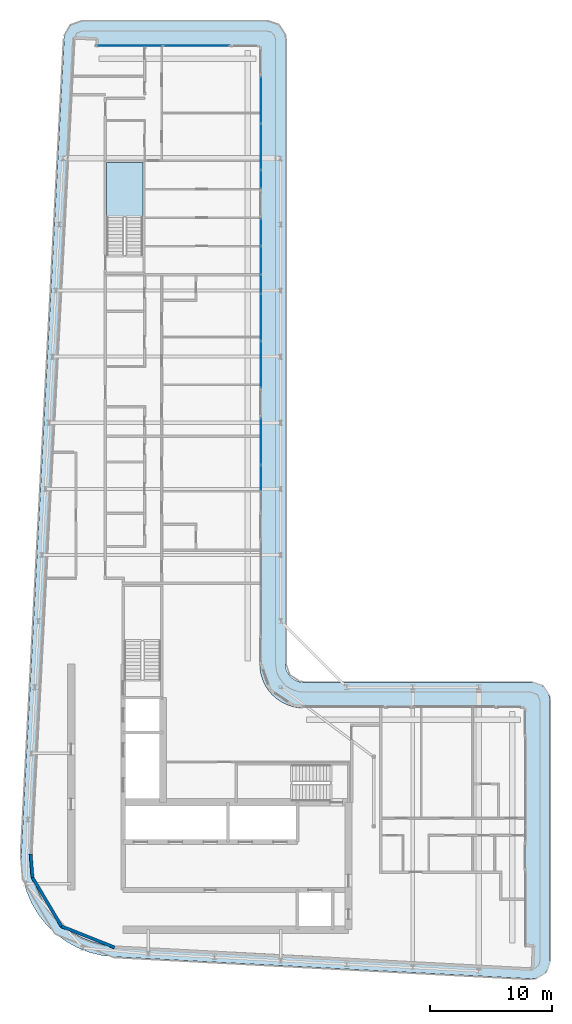
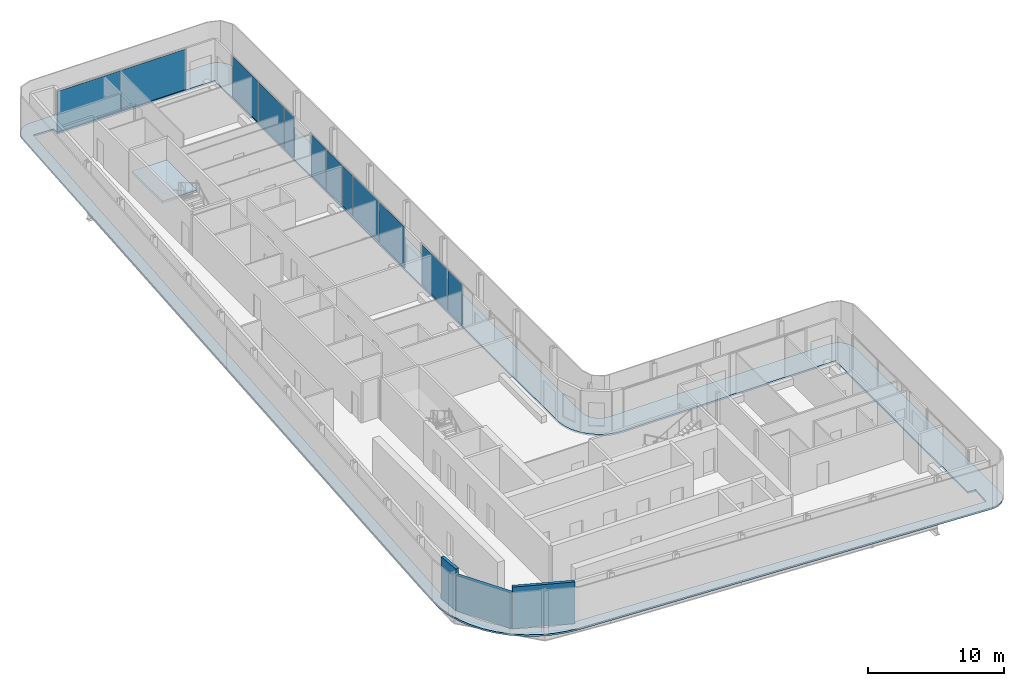
# One storey, part 10 of 21: 12 plates, 3 walls, 2 slabs, 7 elements without a shape of their own.
"""IFC4 building model written with IfcOpenShell, lengths in metres."""

from ifc_helpers import new_model, si_unit, direction, frame, frame_2d, origin, origin_2d, place, context, subcontext, project, spatial, polyline, rectangle, outline, extrude, material, layer, layer_set, type_object, element, aggregate, save


model = new_model("IFC4")

# Units and contexts
model_context = context("Model", 3, precision=1e-05, world=origin(), true_north=direction((0.0, 1.0)))
body_context = subcontext(model_context, "Body", "Model", "MODEL_VIEW")
ifc_project = project(units=[si_unit("LENGTHUNIT", "METRE"), si_unit("AREAUNIT", "SQUARE_METRE"), si_unit("VOLUMEUNIT", "CUBIC_METRE"), si_unit("PLANEANGLEUNIT", "RADIAN"), si_unit("MASSUNIT", "GRAM", prefix="KILO")], contexts=[model_context])

# Site, building, storey
site_placement = place(None, origin())
site = spatial("IfcSite", under=ifc_project, at=site_placement, CompositionType="ELEMENT")
building_placement = place(site_placement, origin())
building = spatial("IfcBuilding", under=site, at=building_placement, Name="Kheshtan School and Residences Tower", CompositionType="ELEMENT")
storey_placement = place(building_placement, frame((0.0, 0.0, 302.0)))
storey = spatial("IfcBuildingStorey", under=building, at=storey_placement, Name="L71", CompositionType="ELEMENT", Elevation=302.0)

# Curtain wall, plates
ifc_material_1 = material(Name="Clear low-e glass in thermally broken aluminium frame", Category="aluminium")
ifc_layer_1 = layer(ifc_material_1, 0.199951171875)
ifc_layer_set_1 = layer_set([ifc_layer_1], Name="Curtain wall CW-L")
curtain_wall_type = type_object("IfcCurtainWallType", Name="Curtain wall CW-L", PredefinedType="NOTDEFINED", material=ifc_layer_set_1)
curtain_wall_1_placement = place(storey_placement, origin())
curtain_wall_1 = element("IfcCurtainWall", 1, at=curtain_wall_1_placement, inside=storey, type_object=curtain_wall_type, Name="Curtain wall CWL7", PredefinedType="NOTDEFINED")
ifc_layer_2 = layer(ifc_material_1, 0.031982421875)
ifc_layer_set_2 = layer_set([ifc_layer_2], Name="CW-L glass panel")
plate_type = type_object("IfcPlateType", Name="CW-L glass panel", PredefinedType="CURTAIN_PANEL", material=ifc_layer_set_2)
plate_1_placement = place(storey_placement, frame((35.259033203125, 98.0, 0.0), z_axis=(0.0, 0.0, 1.0), x_axis=(1.0, 0.0, 0.0)))
plate_1 = element("IfcPlate", 2, at=plate_1_placement, type_object=plate_type, Name="CWL7 panel 1.1", PredefinedType="CURTAIN_PANEL", context=body_context, shape_type="SweptSolid", body=[
    extrude(rectangle(XDim=5.4140625, YDim=0.031982421875, at=origin_2d()), origin(), (0.0, 0.0, 1.0), 3.6298828125),
])
plate_2_placement = place(storey_placement, frame((40.73291015625, 98.0, 0.0), z_axis=(0.0, 0.0, 1.0), x_axis=(1.0, 0.0, 0.0)))
plate_2 = element("IfcPlate", 3, at=plate_2_placement, type_object=plate_type, Name="CWL7 panel 2.1", PredefinedType="CURTAIN_PANEL", context=body_context, shape_type="SweptSolid", body=[
    extrude(rectangle(XDim=5.4140625, YDim=0.031982421875, at=origin_2d()), origin(), (0.0, 0.0, 1.0), 3.6298828125),
])
aggregate(curtain_wall_1, [plate_1, plate_2])

curtain_wall_2_placement = place(storey_placement, origin())
curtain_wall_2 = element("IfcCurtainWall", 4, at=curtain_wall_2_placement, inside=storey, type_object=curtain_wall_type, Name="Curtain wall CWL8", PredefinedType="NOTDEFINED")
plate_3_placement = place(storey_placement, frame((46.0, 93.5615234375, 0.0), z_axis=(0.0, 0.0, 1.0), x_axis=(0.0, -1.0, 0.0)))
plate_3 = element("IfcPlate", 5, at=plate_3_placement, type_object=plate_type, Name="CWL8 panel 1.1", PredefinedType="CURTAIN_PANEL", context=body_context, shape_type="SweptSolid", body=[
    extrude(rectangle(XDim=3.757080078125, YDim=0.031982421875, at=origin_2d()), origin(), (0.0, 0.0, 1.0), 3.6298828125),
])
plate_4_placement = place(storey_placement, frame((46.0, 89.744384765625, 0.0), z_axis=(0.0, 0.0, 1.0), x_axis=(0.0, -1.0, 0.0)))
plate_4 = element("IfcPlate", 6, at=plate_4_placement, type_object=plate_type, Name="CWL8 panel 2.1", PredefinedType="CURTAIN_PANEL", context=body_context, shape_type="SweptSolid", body=[
    extrude(rectangle(XDim=3.757080078125, YDim=0.031982421875, at=origin_2d()), origin(), (0.0, 0.0, 1.0), 3.6298828125),
])
aggregate(curtain_wall_2, [plate_3, plate_4])

# Curtain wall, plate
curtain_wall_3_placement = place(storey_placement, origin())
curtain_wall_3 = element("IfcCurtainWall", 7, at=curtain_wall_3_placement, inside=storey, type_object=curtain_wall_type, Name="Curtain wall CWL8a", PredefinedType="NOTDEFINED")
plate_5_placement = place(storey_placement, frame((46.0, 87.0859375, 0.0), z_axis=(0.0, 0.0, 1.0), x_axis=(0.0, -1.0, 0.0)))
plate_5 = element("IfcPlate", 8, at=plate_5_placement, type_object=plate_type, Name="CWL8a panel 1.1", PredefinedType="CURTAIN_PANEL", context=body_context, shape_type="SweptSolid", body=[
    extrude(rectangle(XDim=1.43994140625, YDim=0.031982421875, at=origin_2d()), origin(), (0.0, 0.0, 1.0), 3.6298828125),
])
aggregate(curtain_wall_3, [plate_5])

# Curtain wall, plates
curtain_wall_4_placement = place(storey_placement, origin())
curtain_wall_4 = element("IfcCurtainWall", 9, at=curtain_wall_4_placement, inside=storey, type_object=curtain_wall_type, Name="Curtain wall CWL8b", PredefinedType="NOTDEFINED")
plate_6_placement = place(storey_placement, frame((46.0, 82.75048828125, 0.0), z_axis=(0.0, 0.0, 1.0), x_axis=(0.0, -1.0, 0.0)))
plate_6 = element("IfcPlate", 10, at=plate_6_placement, type_object=plate_type, Name="CWL8b panel 1.1", PredefinedType="CURTAIN_PANEL", context=body_context, shape_type="SweptSolid", body=[
    extrude(rectangle(XDim=2.19091796875, YDim=0.031982421875, at=origin_2d()), origin(), (0.0, 0.0, 1.0), 3.6298828125),
])
plate_7_placement = place(storey_placement, frame((46.0, 80.46240234375, 0.0), z_axis=(0.0, 0.0, 1.0), x_axis=(0.0, -1.0, 0.0)))
plate_7 = element("IfcPlate", 11, at=plate_7_placement, type_object=plate_type, Name="CWL8b panel 2.1", PredefinedType="CURTAIN_PANEL", context=body_context, shape_type="SweptSolid", body=[
    extrude(rectangle(XDim=2.264892578125, YDim=0.031982421875, at=origin_2d()), origin(), (0.0, 0.0, 1.0), 3.6298828125),
])
plate_8_placement = place(storey_placement, frame((46.0, 78.52099609375, 0.0), z_axis=(0.0, 0.0, 1.0), x_axis=(0.0, -1.0, 0.0)))
plate_8 = element("IfcPlate", 12, at=plate_8_placement, type_object=plate_type, Name="CWL8b panel 3.1", PredefinedType="CURTAIN_PANEL", context=body_context, shape_type="SweptSolid", body=[
    extrude(rectangle(XDim=1.498046875, YDim=0.031982421875, at=origin_2d()), origin(), (0.0, 0.0, 1.0), 3.6298828125),
])
aggregate(curtain_wall_4, [plate_6, plate_7, plate_8])

curtain_wall_5_placement = place(storey_placement, origin())
curtain_wall_5 = element("IfcCurtainWall", 13, at=curtain_wall_5_placement, inside=storey, type_object=curtain_wall_type, Name="Curtain wall CWL8", PredefinedType="NOTDEFINED")
plate_9_placement = place(storey_placement, frame((46.0, 75.803466796875, 0.0), z_axis=(0.0, 0.0, 1.0), x_axis=(0.0, -1.0, 0.0)))
plate_9 = element("IfcPlate", 14, at=plate_9_placement, type_object=plate_type, Name="CWL8 panel 1.1", PredefinedType="CURTAIN_PANEL", context=body_context, shape_type="SweptSolid", body=[
    extrude(rectangle(XDim=3.81689453125, YDim=0.031982421875, at=origin_2d()), origin(), (0.0, 0.0, 1.0), 3.6298828125),
])
plate_10_placement = place(storey_placement, frame((46.0, 71.95654296875, 0.0), z_axis=(0.0, 0.0, 1.0), x_axis=(0.0, -1.0, 0.0)))
plate_10 = element("IfcPlate", 15, at=plate_10_placement, type_object=plate_type, Name="CWL8 panel 2.1", PredefinedType="CURTAIN_PANEL", context=body_context, shape_type="SweptSolid", body=[
    extrude(rectangle(XDim=3.757080078125, YDim=0.031982421875, at=origin_2d()), origin(), (0.0, 0.0, 1.0), 3.6298828125),
])
aggregate(curtain_wall_5, [plate_9, plate_10])

curtain_wall_6_placement = place(storey_placement, origin())
curtain_wall_6 = element("IfcCurtainWall", 16, at=curtain_wall_6_placement, inside=storey, type_object=curtain_wall_type, Name="Curtain wall CWL8c", PredefinedType="NOTDEFINED")
plate_11_placement = place(storey_placement, frame((46.0, 65.679443359375, 0.0), z_axis=(0.0, 0.0, 1.0), x_axis=(0.0, -1.0, 0.0)))
plate_11 = element("IfcPlate", 17, at=plate_11_placement, type_object=plate_type, Name="CWL8c panel 1.1", PredefinedType="CURTAIN_PANEL", context=body_context, shape_type="SweptSolid", body=[
    extrude(rectangle(XDim=3.757080078125, YDim=0.031982421875, at=origin_2d()), origin(), (0.0, 0.0, 1.0), 3.6298828125),
])
plate_12_placement = place(storey_placement, frame((46.0, 62.685546875, 0.0), z_axis=(0.0, 0.0, 1.0), x_axis=(0.0, -1.0, 0.0)))
plate_12 = element("IfcPlate", 18, at=plate_12_placement, type_object=plate_type, Name="CWL8c panel 2.1", PredefinedType="CURTAIN_PANEL", context=body_context, shape_type="SweptSolid", body=[
    extrude(rectangle(XDim=2.111083984375, YDim=0.031982421875, at=origin_2d()), origin(), (0.0, 0.0, 1.0), 3.6298828125),
])
aggregate(curtain_wall_6, [plate_11, plate_12])

# Slab
ifc_material_2 = material(Name="Concrete C40/50", Category="concrete")
ifc_layer_3 = layer(ifc_material_2, 0.14990234375)
ifc_layer_set_3 = layer_set([ifc_layer_3], Name="Loggia balcony slab 150 Concrete C40/50")
slab_type_1 = type_object("IfcSlabType", Name="Loggia balcony slab 150 Concrete C40/50", PredefinedType="FLOOR", material=ifc_layer_set_3)
slab_1_placement = place(storey_placement, frame((0.0, 0.0, -0.14990234375)))
element("IfcSlab", 19, at=slab_1_placement, inside=storey, type_object=slab_type_1, Name="Loggia balcony slab L71", PredefinedType="FLOOR", context=body_context, shape_type="SweptSolid", body=[
    extrude(outline(polyline([(28.4580078125, 26.222900390625), (28.45703125, 26.222900390625), (28.45703125, 26.22412109375), (28.4560546875, 26.22412109375), (27.81494140625, 27.0390625), (27.281005859375, 27.93798828125), (26.867919921875, 28.89990234375), (26.583984375, 29.89990234375), (26.583984375, 29.906982421875), (26.43408203125, 30.943115234375), (26.419921875, 31.989013671875), (29.925048828125, 98.5791015625), (29.930908203125, 98.626953125), (29.930908203125, 98.6279296875), (29.929931640625, 98.6279296875), (29.929931640625, 98.62890625), (29.928955078125, 98.62890625), (29.928955078125, 98.6298828125), (29.927978515625, 98.6298828125), (29.927978515625, 98.631103515625), (29.927001953125, 98.631103515625), (29.927001953125, 98.632080078125), (29.927001953125, 98.633056640625), (29.945068359375, 98.781005859375), (29.945068359375, 98.783935546875), (29.945068359375, 98.784912109375), (29.946044921875, 98.784912109375), (29.946044921875, 98.785888671875), (29.947021484375, 98.785888671875), (29.947021484375, 98.787109375), (29.947998046875, 98.787109375), (29.948974609375, 98.787109375), (29.948974609375, 98.7880859375), (29.949951171875, 98.7880859375), (29.949951171875, 98.7890625), (29.949951171875, 98.791015625), (30.0029296875, 98.98388671875), (30.083984375, 99.175048828125), (30.18896484375, 99.35302734375), (30.31103515625, 99.507080078125), (30.31201171875, 99.507080078125), (30.31201171875, 99.508056640625), (30.31298828125, 99.508056640625), (30.31298828125, 99.509033203125), (30.31396484375, 99.509033203125), (30.31396484375, 99.510009765625), (30.31494140625, 99.510009765625), (30.31494140625, 99.510986328125), (30.31591796875, 99.510986328125), (30.31591796875, 99.511962890625), (30.31689453125, 99.511962890625), (30.31689453125, 99.512939453125), (30.318115234375, 99.512939453125), (30.320068359375, 99.512939453125), (30.321044921875, 99.512939453125), (30.321044921875, 99.513916015625), (30.468017578125, 99.656982421875), (30.468994140625, 99.656982421875), (30.468994140625, 99.657958984375), (30.469970703125, 99.657958984375), (30.469970703125, 99.658935546875), (30.470947265625, 99.658935546875), (30.470947265625, 99.659912109375), (30.471923828125, 99.659912109375), (30.471923828125, 99.660888671875), (30.472900390625, 99.660888671875), (30.472900390625, 99.662109375), (30.47412109375, 99.662109375), (30.47412109375, 99.6630859375), (30.47509765625, 99.6630859375), (30.47509765625, 99.6640625), (30.635986328125, 99.777099609375), (30.820068359375, 99.873046875), (31.007080078125, 99.943115234375), (31.013916015625, 99.943115234375), (31.217041015625, 99.986083984375), (31.423095703125, 100.0), (46.5, 100.0), (46.696044921875, 99.987060546875), (46.887939453125, 99.948974609375), (46.89501953125, 99.948974609375), (47.073974609375, 99.885986328125), (47.242919921875, 99.801025390625), (47.243896484375, 99.801025390625), (47.2470703125, 99.801025390625), (47.248046875, 99.801025390625), (47.248046875, 99.802001953125), (47.2490234375, 99.802001953125), (47.2490234375, 99.802978515625), (47.25, 99.802978515625), (47.2529296875, 99.802978515625), (47.25390625, 99.802978515625), (47.25390625, 99.802001953125), (47.2548828125, 99.802001953125), (47.2548828125, 99.801025390625), (47.256103515625, 99.801025390625), (47.256103515625, 99.800048828125), (47.257080078125, 99.800048828125), (47.257080078125, 99.799072265625), (47.258056640625, 99.799072265625), (47.258056640625, 99.798095703125), (47.412109375, 99.696044921875), (47.4130859375, 99.696044921875), (47.4130859375, 99.695068359375), (47.4140625, 99.695068359375), (47.4140625, 99.694091796875), (47.4140625, 99.68994140625), (47.4140625, 99.68896484375), (47.4150390625, 99.68896484375), (47.4150390625, 99.68798828125), (47.416015625, 99.68798828125), (47.416015625, 99.68701171875), (47.4169921875, 99.68701171875), (47.4169921875, 99.68603515625), (47.554931640625, 99.568115234375), (47.554931640625, 99.56689453125), (47.555908203125, 99.56689453125), (47.555908203125, 99.56591796875), (47.556884765625, 99.56591796875), (47.556884765625, 99.56494140625), (47.55810546875, 99.56494140625), (47.55810546875, 99.56396484375), (47.55908203125, 99.56396484375), (47.55908203125, 99.56298828125), (47.56005859375, 99.56298828125), (47.56005859375, 99.56201171875), (47.56103515625, 99.56201171875), (47.56201171875, 99.56103515625), (47.56201171875, 99.56005859375), (47.56298828125, 99.56005859375), (47.56298828125, 99.55908203125), (47.56396484375, 99.55908203125), (47.56396484375, 99.55810546875), (47.56494140625, 99.55810546875), (47.56494140625, 99.556884765625), (47.56591796875, 99.556884765625), (47.56591796875, 99.555908203125), (47.56689453125, 99.555908203125), (47.56689453125, 99.554931640625), (47.568115234375, 99.554931640625), (47.68505859375, 99.41796875), (47.68603515625, 99.41796875), (47.68603515625, 99.4169921875), (47.68701171875, 99.4169921875), (47.68701171875, 99.416015625), (47.68798828125, 99.416015625), (47.68798828125, 99.4150390625), (47.68896484375, 99.4150390625), (47.68896484375, 99.4140625), (47.68994140625, 99.4140625), (47.694091796875, 99.4140625), (47.695068359375, 99.4140625), (47.695068359375, 99.4130859375), (47.696044921875, 99.4130859375), (47.696044921875, 99.412109375), (47.797119140625, 99.259033203125), (47.798095703125, 99.259033203125), (47.798095703125, 99.258056640625), (47.799072265625, 99.258056640625), (47.799072265625, 99.257080078125), (47.800048828125, 99.257080078125), (47.800048828125, 99.256103515625), (47.801025390625, 99.256103515625), (47.801025390625, 99.2548828125), (47.802001953125, 99.2548828125), (47.802001953125, 99.25390625), (47.802978515625, 99.25390625), (47.802978515625, 99.2529296875), (47.802978515625, 99.25), (47.802978515625, 99.2490234375), (47.802001953125, 99.2490234375), (47.802001953125, 99.248046875), (47.801025390625, 99.248046875), (47.801025390625, 99.2470703125), (47.801025390625, 99.243896484375), (47.801025390625, 99.242919921875), (47.885986328125, 99.073974609375), (47.948974609375, 98.89501953125), (47.948974609375, 98.887939453125), (47.987060546875, 98.696044921875), (48.0, 98.5), (48.0, 47.5), (48.012939453125, 47.303955078125), (48.051025390625, 47.113037109375), (48.051025390625, 47.10693359375), (48.051025390625, 47.10595703125), (48.114013671875, 46.926025390625), (48.200927734375, 46.75), (48.31005859375, 46.5869140625), (48.431884765625, 46.444091796875), (48.43310546875, 46.444091796875), (48.43310546875, 46.443115234375), (48.43408203125, 46.443115234375), (48.43408203125, 46.44189453125), (48.43505859375, 46.44189453125), (48.43505859375, 46.44091796875), (48.43603515625, 46.44091796875), (48.43603515625, 46.43994140625), (48.43701171875, 46.43994140625), (48.43701171875, 46.43896484375), (48.43798828125, 46.43896484375), (48.43896484375, 46.43798828125), (48.43896484375, 46.43701171875), (48.43994140625, 46.43701171875), (48.43994140625, 46.43603515625), (48.44091796875, 46.43603515625), (48.44091796875, 46.43505859375), (48.44189453125, 46.43505859375), (48.44189453125, 46.43408203125), (48.443115234375, 46.43408203125), (48.443115234375, 46.43310546875), (48.444091796875, 46.43310546875), (48.444091796875, 46.431884765625), (48.5869140625, 46.31005859375), (48.75, 46.200927734375), (48.926025390625, 46.114013671875), (49.10595703125, 46.051025390625), (49.10693359375, 46.051025390625), (49.113037109375, 46.051025390625), (49.303955078125, 46.012939453125), (49.5, 46.0), (68.10009765625, 46.0), (68.2958984375, 45.987060546875), (68.488037109375, 45.948974609375), (68.4951171875, 45.948974609375), (68.674072265625, 45.885986328125), (68.842041015625, 45.801025390625), (68.843017578125, 45.801025390625), (68.846923828125, 45.801025390625), (68.847900390625, 45.801025390625), (68.847900390625, 45.802001953125), (68.84912109375, 45.802001953125), (68.84912109375, 45.802978515625), (68.85009765625, 45.802978515625), (68.85302734375, 45.802978515625), (68.85400390625, 45.802978515625), (68.85400390625, 45.802001953125), (68.85498046875, 45.802001953125), (68.85498046875, 45.801025390625), (68.85595703125, 45.801025390625), (68.85595703125, 45.800048828125), (68.85693359375, 45.800048828125), (68.85693359375, 45.799072265625), (68.85791015625, 45.799072265625), (68.85791015625, 45.798095703125), (68.85888671875, 45.798095703125), (68.85888671875, 45.797119140625), (68.860107421875, 45.797119140625), (68.860107421875, 45.7958984375), (69.011962890625, 45.696044921875), (69.012939453125, 45.696044921875), (69.012939453125, 45.695068359375), (69.013916015625, 45.695068359375), (69.013916015625, 45.694091796875), (69.013916015625, 45.68994140625), (69.013916015625, 45.68896484375), (69.014892578125, 45.68896484375), (69.014892578125, 45.68798828125), (69.01611328125, 45.68798828125), (69.01611328125, 45.68701171875), (69.01708984375, 45.68701171875), (69.01708984375, 45.68603515625), (69.01806640625, 45.68603515625), (69.01806640625, 45.68505859375), (69.01904296875, 45.68505859375), (69.01904296875, 45.68408203125), (69.155029296875, 45.568115234375), (69.155029296875, 45.56689453125), (69.156005859375, 45.56689453125), (69.156005859375, 45.56591796875), (69.156982421875, 45.56591796875), (69.156982421875, 45.56494140625), (69.157958984375, 45.56494140625), (69.157958984375, 45.56396484375), (69.158935546875, 45.56396484375), (69.158935546875, 45.56298828125), (69.159912109375, 45.56298828125), (69.159912109375, 45.56201171875), (69.160888671875, 45.56201171875), (69.162109375, 45.56103515625), (69.162109375, 45.56005859375), (69.1630859375, 45.56005859375), (69.1630859375, 45.55908203125), (69.1640625, 45.55908203125), (69.1640625, 45.55810546875), (69.1650390625, 45.55810546875), (69.1650390625, 45.556884765625), (69.166015625, 45.556884765625), (69.166015625, 45.555908203125), (69.1669921875, 45.555908203125), (69.1669921875, 45.554931640625), (69.16796875, 45.554931640625), (69.281982421875, 45.4208984375), (69.282958984375, 45.4208984375), (69.282958984375, 45.419921875), (69.283935546875, 45.419921875), (69.283935546875, 45.4189453125), (69.284912109375, 45.4189453125), (69.284912109375, 45.41796875), (69.285888671875, 45.41796875), (69.285888671875, 45.4169921875), (69.287109375, 45.4169921875), (69.287109375, 45.416015625), (69.2880859375, 45.416015625), (69.2880859375, 45.4150390625), (69.2890625, 45.4150390625), (69.2890625, 45.4140625), (69.2900390625, 45.4140625), (69.2939453125, 45.4140625), (69.294921875, 45.4140625), (69.294921875, 45.4130859375), (69.2958984375, 45.4130859375), (69.2958984375, 45.412109375), (69.39404296875, 45.261962890625), (69.39501953125, 45.261962890625), (69.39501953125, 45.260986328125), (69.39599609375, 45.260986328125), (69.39599609375, 45.260009765625), (69.39697265625, 45.260009765625), (69.39697265625, 45.259033203125), (69.39794921875, 45.259033203125), (69.39794921875, 45.258056640625), (69.39892578125, 45.258056640625), (69.39892578125, 45.257080078125), (69.39990234375, 45.257080078125), (69.39990234375, 45.256103515625), (69.40087890625, 45.256103515625), (69.40087890625, 45.2548828125), (69.402099609375, 45.2548828125), (69.402099609375, 45.25390625), (69.403076171875, 45.25390625), (69.403076171875, 45.2529296875), (69.403076171875, 45.25), (69.403076171875, 45.2490234375), (69.402099609375, 45.2490234375), (69.402099609375, 45.248046875), (69.40087890625, 45.248046875), (69.40087890625, 45.2470703125), (69.40087890625, 45.240966796875), (69.40087890625, 45.239990234375), (69.486083984375, 45.073974609375), (69.549072265625, 44.89501953125), (69.549072265625, 44.887939453125), (69.5869140625, 44.696044921875), (69.60009765625, 44.5), (69.60009765625, 23.285888671875), (69.5859375, 23.083984375), (69.544921875, 22.885009765625), (69.544921875, 22.8779296875), (69.47802734375, 22.694091796875), (69.385986328125, 22.513916015625), (69.27099609375, 22.347900390625), (69.27099609375, 22.346923828125), (69.27099609375, 22.345947265625), (69.27099609375, 22.344970703125), (69.27197265625, 22.344970703125), (69.27197265625, 22.343994140625), (69.27197265625, 22.342041015625), (69.27197265625, 22.341064453125), (69.27099609375, 22.341064453125), (69.27099609375, 22.340087890625), (69.137939453125, 22.197021484375), (69.135009765625, 22.194091796875), (69.134033203125, 22.194091796875), (69.134033203125, 22.193115234375), (69.133056640625, 22.193115234375), (69.131103515625, 22.193115234375), (69.1298828125, 22.193115234375), (69.1298828125, 22.194091796875), (69.12890625, 22.194091796875), (69.1279296875, 22.194091796875), (69.126953125, 22.194091796875), (68.97607421875, 22.069091796875), (68.803955078125, 21.9619140625), (68.618896484375, 21.87890625), (68.430908203125, 21.822021484375), (68.424072265625, 21.822021484375), (68.22412109375, 21.791015625), (68.02099609375, 21.7880859375), (33.989013671875, 23.580078125), (33.94189453125, 23.5859375), (33.94091796875, 23.5859375), (33.93994140625, 23.5859375), (33.93994140625, 23.5849609375), (33.93896484375, 23.5849609375), (33.93896484375, 23.583984375), (33.93798828125, 23.583984375), (33.93798828125, 23.5830078125), (33.93701171875, 23.5830078125), (33.93701171875, 23.58203125), (33.93603515625, 23.58203125), (33.93505859375, 23.58203125), (32.952880859375, 23.697998046875), (32.949951171875, 23.697998046875), (32.948974609375, 23.697998046875), (32.948974609375, 23.698974609375), (32.947998046875, 23.698974609375), (32.947998046875, 23.699951171875), (32.947021484375, 23.699951171875), (32.947021484375, 23.700927734375), (32.947021484375, 23.702880859375), (32.947021484375, 23.7041015625), (32.946044921875, 23.7041015625), (32.946044921875, 23.705078125), (32.945068359375, 23.705078125), (32.944091796875, 23.705078125), (31.93603515625, 23.9609375), (31.928955078125, 23.9609375), (30.964111328125, 24.34912109375), (30.051025390625, 24.860107421875), (29.218994140625, 25.47900390625), (29.218994140625, 25.47998046875), (29.218017578125, 25.47998046875), (29.218017578125, 25.48095703125), (29.217041015625, 25.48095703125), (29.217041015625, 25.48193359375), (29.216064453125, 25.48193359375), (29.216064453125, 25.48291015625), (29.215087890625, 25.48291015625), (29.215087890625, 25.48388671875), (29.214111328125, 25.48388671875), (29.214111328125, 25.485107421875), (29.212890625, 25.485107421875), (29.212890625, 25.486083984375), (29.2119140625, 25.486083984375), (28.466064453125, 26.217041015625), (28.466064453125, 26.218017578125), (28.465087890625, 26.218017578125), (28.462890625, 26.218017578125), (28.4619140625, 26.218017578125), (28.4619140625, 26.218994140625), (28.4609375, 26.218994140625), (28.4609375, 26.219970703125), (28.4599609375, 26.219970703125), (28.4599609375, 26.220947265625), (28.458984375, 26.220947265625), (28.458984375, 26.221923828125), (28.4580078125, 26.221923828125), (28.4580078125, 26.222900390625)]), holes=[polyline([(29.12890625, 26.824951171875), (29.12890625, 26.823974609375), (29.1298828125, 26.823974609375), (29.1298828125, 26.822998046875), (29.131103515625, 26.822998046875), (29.131103515625, 26.822021484375), (29.132080078125, 26.822021484375), (29.132080078125, 26.821044921875), (29.133056640625, 26.821044921875), (29.133056640625, 26.820068359375), (29.134033203125, 26.820068359375), (29.794921875, 26.173095703125), (29.794921875, 26.172119140625), (29.7958984375, 26.172119140625), (29.798095703125, 26.172119140625), (29.799072265625, 26.172119140625), (29.799072265625, 26.1708984375), (29.800048828125, 26.1708984375), (29.800048828125, 26.169921875), (29.801025390625, 26.169921875), (29.801025390625, 26.1689453125), (29.802001953125, 26.1689453125), (29.802001953125, 26.16796875), (29.802978515625, 26.16796875), (29.802978515625, 26.1669921875), (29.803955078125, 26.1669921875), (29.803955078125, 26.166015625), (30.541015625, 25.616943359375), (31.35205078125, 25.1630859375), (32.208984375, 24.819091796875), (32.2099609375, 24.819091796875), (32.216064453125, 24.819091796875), (33.114990234375, 24.590087890625), (34.06591796875, 24.47705078125), (68.0380859375, 22.68798828125), (68.06494140625, 22.68896484375), (68.06591796875, 22.68896484375), (68.06689453125, 22.68896484375), (68.06689453125, 22.68994140625), (68.068115234375, 22.68994140625), (68.068115234375, 22.69091796875), (68.068115234375, 22.69189453125), (68.157958984375, 24.381103515625), (68.157958984375, 24.382080078125), (68.157958984375, 24.383056640625), (68.156982421875, 24.383056640625), (68.156982421875, 24.384033203125), (68.156005859375, 24.384033203125), (68.155029296875, 24.384033203125), (67.5009765625, 24.4189453125), (67.5, 24.4189453125), (67.5, 24.419921875), (67.5, 43.89794921875), (67.5, 43.89892578125), (67.4990234375, 43.89892578125), (67.4990234375, 43.89990234375), (67.498046875, 43.89990234375), (49.429931640625, 43.89990234375), (49.030029296875, 43.927001953125), (48.569091796875, 44.01806640625), (48.56201171875, 44.01806640625), (48.1201171875, 44.169921875), (47.697021484375, 44.37890625), (47.30810546875, 44.638916015625), (46.95703125, 44.944091796875), (46.95703125, 44.945068359375), (46.9560546875, 44.945068359375), (46.9560546875, 44.946044921875), (46.955078125, 44.946044921875), (46.955078125, 44.947021484375), (46.9541015625, 44.947021484375), (46.9541015625, 44.947998046875), (46.952880859375, 44.947998046875), (46.952880859375, 44.948974609375), (46.951904296875, 44.948974609375), (46.951904296875, 44.949951171875), (46.951904296875, 44.950927734375), (46.950927734375, 44.950927734375), (46.950927734375, 44.951904296875), (46.949951171875, 44.951904296875), (46.948974609375, 44.951904296875), (46.948974609375, 44.952880859375), (46.947998046875, 44.952880859375), (46.947998046875, 44.9541015625), (46.947021484375, 44.9541015625), (46.947021484375, 44.955078125), (46.946044921875, 44.955078125), (46.946044921875, 44.9560546875), (46.945068359375, 44.9560546875), (46.945068359375, 44.95703125), (46.944091796875, 44.95703125), (46.638916015625, 45.30810546875), (46.37890625, 45.697021484375), (46.169921875, 46.1201171875), (46.01806640625, 46.56201171875), (46.01806640625, 46.569091796875), (45.927001953125, 47.030029296875), (45.89990234375, 47.429931640625), (45.89990234375, 97.89794921875), (45.89990234375, 97.89892578125), (45.89892578125, 97.89892578125), (45.89892578125, 97.89990234375), (45.89794921875, 97.89990234375), (32.492919921875, 97.89990234375), (32.491943359375, 97.89990234375), (32.52099609375, 98.43896484375), (32.52099609375, 98.43994140625), (32.52099609375, 98.44091796875), (32.52001953125, 98.44091796875), (32.52001953125, 98.44189453125), (32.51904296875, 98.44189453125), (32.51806640625, 98.44189453125), (30.8291015625, 98.531982421875), (30.827880859375, 98.531982421875), (30.826904296875, 98.531982421875), (30.826904296875, 98.531005859375), (30.825927734375, 98.531005859375), (30.825927734375, 98.530029296875), (30.825927734375, 98.529052734375), (30.822021484375, 98.5009765625), (27.320068359375, 31.970947265625), (27.3330078125, 31.013916015625), (27.466064453125, 30.093994140625), (27.466064453125, 30.087890625), (27.466064453125, 30.0869140625), (27.718017578125, 29.200927734375), (28.0849609375, 28.345947265625), (28.55908203125, 27.550048828125), (29.126953125, 26.825927734375), (29.1279296875, 26.825927734375), (29.1279296875, 26.824951171875), (29.12890625, 26.824951171875)])]), origin(), (0.0, 0.0, 1.0), 0.14990234375),
])

# Stair, slab
stair_type = type_object("IfcStairType", Name="Exit stair, half-turn", PredefinedType="HALF_TURN_STAIR", material=ifc_material_2)
stair_placement = place(storey_placement, origin())
stair = element("IfcStair", 20, at=stair_placement, inside=storey, type_object=stair_type, Name="L71 Protected Exit Stair ST3", PredefinedType="HALF_TURN_STAIR")
ifc_layer_4 = layer(ifc_material_2, 0.199951171875)
ifc_layer_set_4 = layer_set([ifc_layer_4], Name="Stair landing 200 Concrete C40/50")
slab_type_2 = type_object("IfcSlabType", Name="Stair landing 200 Concrete C40/50", PredefinedType="LANDING", material=ifc_layer_set_4)
slab_2_placement = place(storey_placement, frame((0.0, 0.0, 1.75)))
slab_2 = element("IfcSlab", 21, at=slab_2_placement, type_object=slab_type_2, Name="ST3 landing 1", PredefinedType="LANDING", context=body_context, shape_type="SweptSolid", body=[
    extrude(outline(polyline([(36.35009765625, 83.97998046875), (36.35009765625, 88.4599609375), (33.39990234375, 88.4599609375), (33.39990234375, 83.97998046875), (36.35009765625, 83.97998046875)])), origin(), (0.0, 0.0, 1.0), 0.199951171875),
])
aggregate(stair, [slab_2])

# Walls
ifc_material_3 = material(Name="Concrete C40/50 with ceramic cladding and mineral wool insulation", Category="concrete")
ifc_layer_5 = layer(ifc_material_3, 0.25)
ifc_layer_set_5 = layer_set([ifc_layer_5], Name="External wall 250 ceramic clad")
wall_type = type_object("IfcWallType", Name="External wall 250 ceramic clad", PredefinedType="SOLIDWALL", material=ifc_layer_set_5)
wall_1_placement = place(storey_placement, frame((34.0390625, 24.35302734375, 0.0), z_axis=(0.0, 0.0, 1.0), x_axis=(-0.929352825399, 0.369192803184, 0.0)))
element("IfcWall", 22, at=wall_1_placement, inside=storey, type_object=wall_type, Name="External wall L71 1", PredefinedType="SOLIDWALL", context=body_context, shape_type="SweptSolid", body=[
    extrude(rectangle(XDim=4.656005859375, YDim=0.25, at=frame_2d((2.328125, 0.0))), origin(), (0.0, 0.0, 1.0), 3.75),
])
wall_2_placement = place(storey_placement, frame((29.7119140625, 26.072021484375, 0.0), z_axis=(0.0, 0.0, 1.0), x_axis=(-0.511028049012, 0.859564036662, 0.0)))
element("IfcWall", 23, at=wall_2_placement, inside=storey, type_object=wall_type, Name="External wall L71 2", PredefinedType="SOLIDWALL", context=body_context, shape_type="SweptSolid", body=[
    extrude(rectangle(XDim=4.633544921875, YDim=0.25, at=frame_2d((2.31689453125, 0.0))), origin(), (0.0, 0.0, 1.0), 3.217041015625),
])
wall_3_placement = place(storey_placement, frame((27.343994140625, 30.054931640625, 0.0), z_axis=(0.0, 0.0, 1.0), x_axis=(-0.077571675317, 0.99698677784, 0.0)))
element("IfcWall", 24, at=wall_3_placement, inside=storey, type_object=wall_type, Name="External wall L71 3", PredefinedType="SOLIDWALL", context=body_context, shape_type="SweptSolid", body=[
    extrude(rectangle(XDim=1.919921875, YDim=0.25, at=frame_2d((0.9599609375, 0.0))), origin(), (0.0, 0.0, 1.0), 3.75),
])

save(model, "model.ifc")
